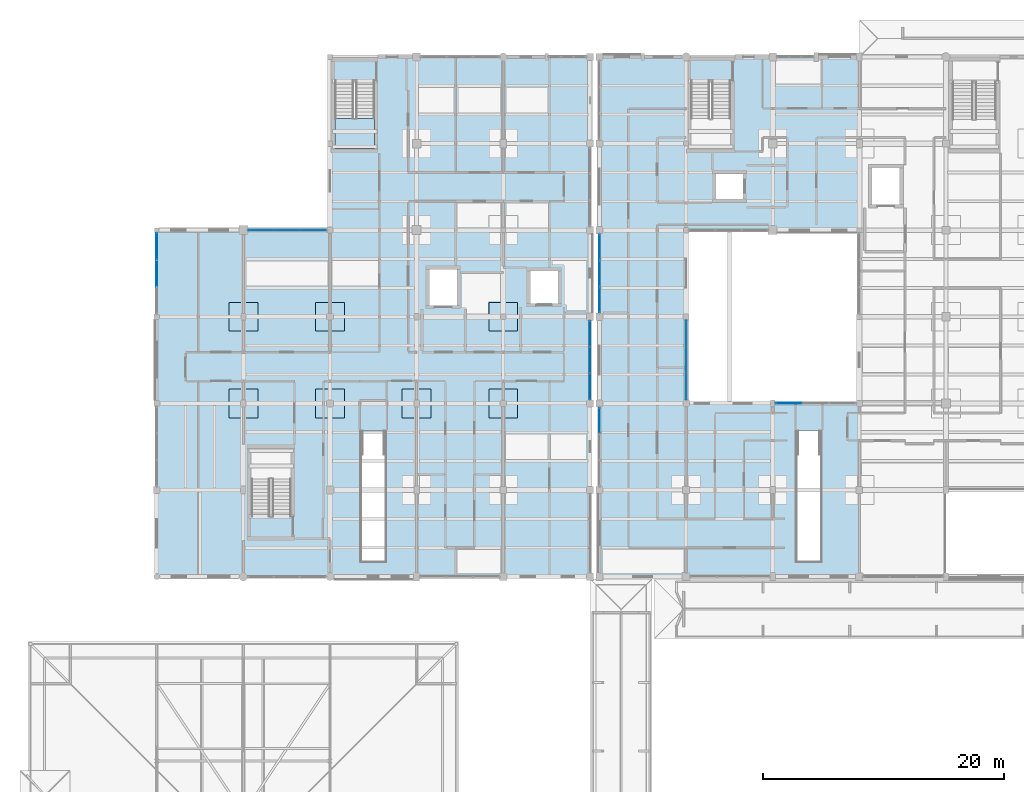
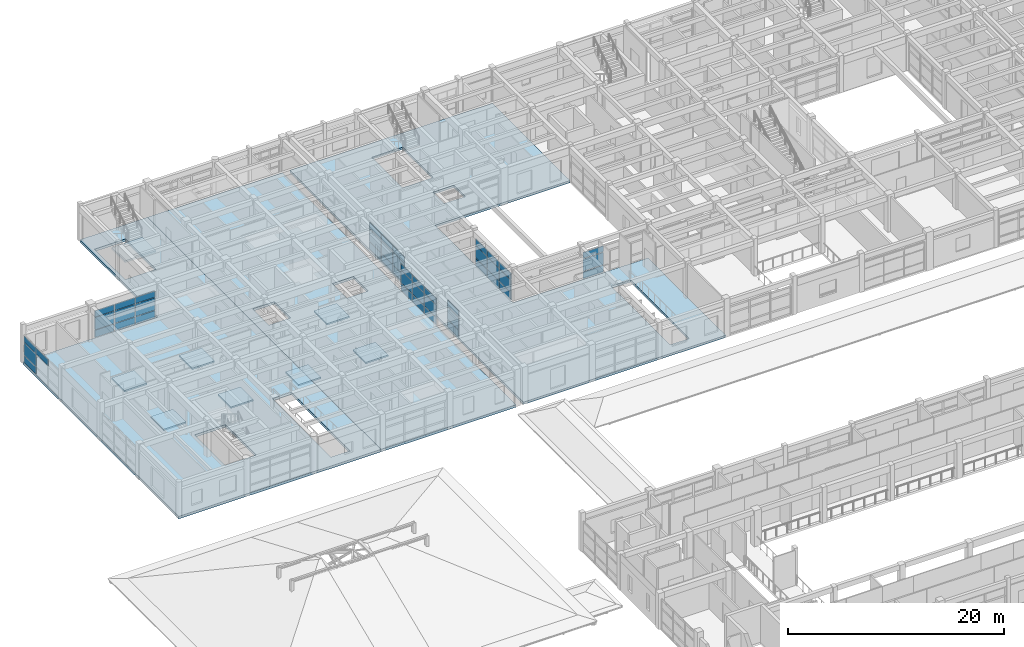
# One storey, part 64 of 110: 46 plates, 11 slabs, 8 elements without a shape of their own.
"""IFC4 building model written with IfcOpenShell, lengths in metres."""

import ifcopenshell
import ifcopenshell.guid

model = None  # the IFC model being written
_history = None  # IfcOwnerHistory: only IFC2X3 demands one
_inside = {}  # id of a spatial element -> (the spatial element, [elements in it])
_under = {}  # id of a project, library or spatial element -> (it, [spatial elements below it])
_declared = {}  # id of a project -> (the project, [libraries it declares])
_typed = {}  # id of a type object -> (the type object, [elements of that type])
_made_of = {}  # id of a material, layer set ... -> (it, [elements and type objects made of it])


def new_model(schema):
    """Start an empty IFC model of exactly this schema.

    Asked for "IFC4X3", IfcOpenShell would pick the latest addendum, in which some entities
    have other attributes; the version numbers below select the first issue.
    IFC2X3 requires an IfcOwnerHistory on every rooted entity: one is made here for all.
    """
    global model, _history
    if schema == "IFC4X3":
        model = ifcopenshell.file(schema_version=(4, 3, 0, 0))
    else:
        model = ifcopenshell.file(schema=schema)
    _inside.clear()
    _under.clear()
    _declared.clear()
    _typed.clear()
    _made_of.clear()
    _history = None
    if model.schema == "IFC2X3":
        org = make("IfcOrganization", Name="unknown")
        user = make(
            "IfcPersonAndOrganization",
            ThePerson=make("IfcPerson", FamilyName="unknown"),
            TheOrganization=org,
        )
        app = make(
            "IfcApplication",
            ApplicationDeveloper=org,
            Version="unknown",
            ApplicationFullName="unknown",
            ApplicationIdentifier="unknown",
        )
        _history = make(
            "IfcOwnerHistory",
            OwningUser=user,
            OwningApplication=app,
            ChangeAction="ADDED",
            CreationDate=0,
        )
    return model


def make(cls, **values):
    """One entity of the class cls with the attributes given. An attribute that is None is left unset."""
    return model.create_entity(
        cls, **{name: value for name, value in values.items() if value is not None}
    )


def rooted(cls, **values):
    """An entity with a GlobalId (a new one), such as an element, a storey or a relation."""
    return make(cls, GlobalId=ifcopenshell.guid.new(), OwnerHistory=_history, **values)


def si_unit(unit_type, name, prefix=None):
    """IfcSIUnit, for example si_unit("LENGTHUNIT", "METRE", prefix="MILLI")."""
    return make("IfcSIUnit", UnitType=unit_type, Prefix=prefix, Name=name)


def assignment(units):
    """IfcUnitAssignment: the units of a project."""
    return None if units is None else make("IfcUnitAssignment", Units=units)


def point(xyz):
    """IfcCartesianPoint."""
    return None if xyz is None else make("IfcCartesianPoint", Coordinates=xyz)


def direction(xyz):
    """IfcDirection."""
    return None if xyz is None else make("IfcDirection", DirectionRatios=xyz)


def frame(location, z_axis=None, x_axis=None):
    """IfcAxis2Placement3D, a coordinate frame: its origin and axes. An axis left out is left unset."""
    return make(
        "IfcAxis2Placement3D",
        Location=point(location),
        Axis=direction(z_axis),
        RefDirection=direction(x_axis),
    )


def frame_2d(location, x_axis=None):
    """IfcAxis2Placement2D, a coordinate frame in the plane: its origin and x axis."""
    return make(
        "IfcAxis2Placement2D", Location=point(location), RefDirection=direction(x_axis)
    )


def origin():
    """The frame at (0, 0, 0) with its axes left unset."""
    return frame((0.0, 0.0, 0.0))


def origin_2d():
    """The frame at (0, 0) in the plane with its x axis left unset."""
    return frame_2d((0.0, 0.0))


def place(relative_to, where):
    """IfcLocalPlacement: puts the frame where relative to a parent placement (None: the world)."""
    return make(
        "IfcLocalPlacement", PlacementRelTo=relative_to, RelativePlacement=where
    )


def context(
    kind, dimensions, precision=None, world=None, true_north=None, identifier=None
):
    """IfcGeometricRepresentationContext, for example the 3D "Model" context."""
    return make(
        "IfcGeometricRepresentationContext",
        ContextIdentifier=identifier,
        ContextType=kind,
        CoordinateSpaceDimension=dimensions,
        Precision=precision,
        WorldCoordinateSystem=world,
        TrueNorth=true_north,
    )


def subcontext(parent, identifier, kind, view, scale=None):
    """IfcGeometricRepresentationSubContext, for example "Body" below "Model"."""
    return make(
        "IfcGeometricRepresentationSubContext",
        ContextIdentifier=identifier,
        ContextType=kind,
        ParentContext=parent,
        TargetScale=scale,
        TargetView=view,
    )


def project(units=None, contexts=None):
    """IfcProject with its units and contexts."""
    return rooted(
        "IfcProject",
        Name="project",
        RepresentationContexts=contexts,
        UnitsInContext=assignment(units),
    )


def spatial(cls, under=None, at=None, **own):
    """A site, building, storey or space (cls), placed at a placement, below another one or the project."""
    s = rooted(cls, ObjectPlacement=at, **own)
    if under is not None:
        _under.setdefault(under.id(), (under, []))[1].append(s)
    return s


def polyline(points):
    """IfcPolyline through the points."""
    return make("IfcPolyline", Points=[point(p) for p in points])


def profile(cls, at=None, kind="AREA", **sizes):
    """A parametric profile (cls). Its sizes go by their IFC names, for example OverallWidth=200.0."""
    return make(cls, ProfileType=kind, Position=at, **sizes)


def rectangle(**sizes):
    """IfcRectangleProfileDef."""
    return profile("IfcRectangleProfileDef", **sizes)


def outline(outer, holes=None, kind="AREA"):
    """IfcArbitraryClosedProfileDef: a profile drawn as a closed curve; with holes, ...WithVoids."""
    if holes is None:
        return make("IfcArbitraryClosedProfileDef", ProfileType=kind, OuterCurve=outer)
    return make(
        "IfcArbitraryProfileDefWithVoids",
        ProfileType=kind,
        OuterCurve=outer,
        InnerCurves=holes,
    )


def extrude(swept, where, along, depth):
    """IfcExtrudedAreaSolid: the profile swept, set in the frame where, extruded along a direction by depth."""
    return make(
        "IfcExtrudedAreaSolid",
        SweptArea=swept,
        Position=where,
        ExtrudedDirection=direction(along),
        Depth=depth,
    )


def shape(context_of_items, identifier, shape_type, items):
    """IfcShapeRepresentation: the items that make up one representation, for example the "Body"."""
    return make(
        "IfcShapeRepresentation",
        ContextOfItems=context_of_items,
        RepresentationIdentifier=identifier,
        RepresentationType=shape_type,
        Items=items,
    )


def material(Name=None, Category=None):
    """IfcMaterial."""
    return make("IfcMaterial", Name=Name, Category=Category)


def layer(
    of_material, thickness, ventilated=None, Name=None, Category=None, Priority=None
):
    """IfcMaterialLayer: one layer of a wall or slab, of a material (None: an air gap)."""
    return make(
        "IfcMaterialLayer",
        Material=of_material,
        LayerThickness=thickness,
        IsVentilated=ventilated,
        Name=Name,
        Category=Category,
        Priority=Priority,
    )


def layer_set(layers, Name=None):
    """IfcMaterialLayerSet."""
    return make("IfcMaterialLayerSet", MaterialLayers=layers, LayerSetName=Name)


def made_of(thing, what):
    """Note that an element or type object is made of a material, layer set ...; save() writes the relation."""
    if what is not None:
        _made_of.setdefault(what.id(), (what, []))[1].append(thing)
    return thing


def type_object(cls, material=None, **own):
    """A type object (cls), such as IfcWallType, which elements share."""
    return made_of(rooted(cls, **own), material)


def element(
    cls,
    number,
    at=None,
    inside=None,
    cuts=None,
    type_object=None,
    material=None,
    context=None,
    identifier="Body",
    shape_type=None,
    held_by="IfcProductDefinitionShape",
    body=None,
    shapes=None,
    **own,
):
    """One element of the class cls, such as IfcWall. Its Tag is "e" and its number.

    at: its placement. inside: the storey or other place that contains it. cuts: it is an
    opening in that element (IfcRelVoidsElement). A single representation is given by context,
    identifier, shape_type and body (its items); several are given by shapes. held_by: the class
    of the entity that holds the representations. save() writes the other relations.
    """
    e = rooted(cls, Tag="e%d" % number, ObjectPlacement=at, **own)
    if body is not None:
        shapes = [shape(context, identifier, shape_type, body)]
    if shapes is not None:
        e.Representation = make(held_by, Representations=shapes)
    if inside is not None:
        _inside.setdefault(inside.id(), (inside, []))[1].append(e)
    if cuts is not None:
        rooted(
            "IfcRelVoidsElement", RelatingBuildingElement=cuts, RelatedOpeningElement=e
        )
    if type_object is not None:
        _typed.setdefault(type_object.id(), (type_object, []))[1].append(e)
    return made_of(e, material)


def aggregate(whole, parts):
    """IfcRelAggregates: a whole, such as a stair, and the parts it consists of."""
    return rooted("IfcRelAggregates", RelatingObject=whole, RelatedObjects=parts)


def save(model, path):
    """Write the relations noted so far, then the file.

    IfcRelAggregates (storeys below a building ...), IfcRelContainedInSpatialStructure (elements
    in a storey), IfcRelDefinesByType, IfcRelAssociatesMaterial and IfcRelDeclares: one each for
    every whole, place, type object, material and project.
    """
    for whole, parts in _under.values():
        aggregate(whole, parts)
    for where, things in _inside.values():
        rooted(
            "IfcRelContainedInSpatialStructure",
            RelatedElements=things,
            RelatingStructure=where,
        )
    for kind, things in _typed.values():
        rooted("IfcRelDefinesByType", RelatedObjects=things, RelatingType=kind)
    for what, things in _made_of.values():
        rooted("IfcRelAssociatesMaterial", RelatedObjects=things, RelatingMaterial=what)
    for by, libraries in _declared.values():
        rooted("IfcRelDeclares", RelatingContext=by, RelatedDefinitions=libraries)
    model.write(path)


model = new_model("IFC4")

# Units and contexts
model_context = context("Model", 3, precision=1e-05, world=origin(), true_north=direction((0.0, 1.0)))
body_context = subcontext(model_context, "Body", "Model", "MODEL_VIEW")
ifc_project = project(units=[si_unit("LENGTHUNIT", "METRE"), si_unit("AREAUNIT", "SQUARE_METRE"), si_unit("VOLUMEUNIT", "CUBIC_METRE"), si_unit("PLANEANGLEUNIT", "RADIAN"), si_unit("MASSUNIT", "GRAM", prefix="KILO")], contexts=[model_context])

# Site, building, storey
site_placement = place(None, origin())
site = spatial("IfcSite", under=ifc_project, at=site_placement, CompositionType="ELEMENT")
building_placement = place(site_placement, origin())
building = spatial("IfcBuilding", under=site, at=building_placement, Name="Steenspoor Specialist Clinic", CompositionType="ELEMENT")
storey_placement = place(building_placement, frame((0.0, 0.0, 4.800048828125)))
storey = spatial("IfcBuildingStorey", under=building, at=storey_placement, Name="L01", CompositionType="ELEMENT", Elevation=4.800048828125)

# Curtain wall, plates
ifc_material_1 = material(Name="Thermally broken aluminium and low-emissivity glass", Category="aluminium")
curtain_wall_type_1 = type_object("IfcCurtainWallType", Name="CW-SCR-480X320", PredefinedType="USERDEFINED", material=ifc_material_1)
curtain_wall_1_placement = place(storey_placement, origin())
curtain_wall_1 = element("IfcCurtainWall", 1, at=curtain_wall_1_placement, inside=storey, type_object=curtain_wall_type_1, Name="Unitised Curtain Wall CW-V4-L01-066", ObjectType="UNITISED GLAZING", PredefinedType="USERDEFINED")
ifc_material_2 = material(Name="Double low-emissivity insulated glass", Category="glass")
ifc_layer_1 = layer(ifc_material_2, 0.035888671875)
ifc_layer_set_1 = layer_set([ifc_layer_1], Name="Double low-emissivity insulated glass")
plate_type_1 = type_object("IfcPlateType", Name="CW-PAN-GL36", PredefinedType="CURTAIN_PANEL", material=ifc_layer_set_1)
plate_1_placement = place(storey_placement, frame((52.39990234375, 88.169921875, 0.070068359375), z_axis=(0.0, 0.0, 1.0), x_axis=(0.0, 1.0, 0.0)))
plate_1 = element("IfcPlate", 2, at=plate_1_placement, type_object=plate_type_1, Name="CW-18 panel 1.1", PredefinedType="CURTAIN_PANEL", context=body_context, shape_type="SweptSolid", body=[
    extrude(rectangle(XDim=2.080078125, YDim=0.035888671875, at=origin_2d()), origin(), (0.0, 0.0, 1.0), 0.794921875),
])
plate_2_placement = place(storey_placement, frame((52.39990234375, 88.169921875, 0.93505859375), z_axis=(0.0, 0.0, 1.0), x_axis=(0.0, 1.0, 0.0)))
plate_2 = element("IfcPlate", 3, at=plate_2_placement, type_object=plate_type_1, Name="CW-18 panel 1.2", PredefinedType="CURTAIN_PANEL", context=body_context, shape_type="SweptSolid", body=[
    extrude(rectangle(XDim=2.080078125, YDim=0.035888671875, at=origin_2d()), origin(), (0.0, 0.0, 1.0), 1.3798828125),
])
plate_3_placement = place(storey_placement, frame((52.39990234375, 88.169921875, 2.384765625), z_axis=(0.0, 0.0, 1.0), x_axis=(0.0, 1.0, 0.0)))
plate_3 = element("IfcPlate", 4, at=plate_3_placement, type_object=plate_type_1, Name="CW-18 panel 1.3", PredefinedType="CURTAIN_PANEL", context=body_context, shape_type="SweptSolid", body=[
    extrude(rectangle(XDim=2.080078125, YDim=0.035888671875, at=origin_2d()), origin(), (0.0, 0.0, 1.0), 0.675048828125),
])
plate_4_placement = place(storey_placement, frame((52.39990234375, 90.35009765625, 0.070068359375), z_axis=(0.0, 0.0, 1.0), x_axis=(0.0, 1.0, 0.0)))
plate_4 = element("IfcPlate", 5, at=plate_4_placement, type_object=plate_type_1, Name="CW-18 panel 2.1", PredefinedType="CURTAIN_PANEL", context=body_context, shape_type="SweptSolid", body=[
    extrude(rectangle(XDim=2.1201171875, YDim=0.035888671875, at=origin_2d()), origin(), (0.0, 0.0, 1.0), 0.794921875),
])
plate_5_placement = place(storey_placement, frame((52.39990234375, 90.35009765625, 0.93505859375), z_axis=(0.0, 0.0, 1.0), x_axis=(0.0, 1.0, 0.0)))
plate_5 = element("IfcPlate", 6, at=plate_5_placement, type_object=plate_type_1, Name="CW-18 panel 2.2", PredefinedType="CURTAIN_PANEL", context=body_context, shape_type="SweptSolid", body=[
    extrude(rectangle(XDim=2.1201171875, YDim=0.035888671875, at=origin_2d()), origin(), (0.0, 0.0, 1.0), 1.3798828125),
])
plate_6_placement = place(storey_placement, frame((52.39990234375, 90.35009765625, 2.384765625), z_axis=(0.0, 0.0, 1.0), x_axis=(0.0, 1.0, 0.0)))
plate_6 = element("IfcPlate", 7, at=plate_6_placement, type_object=plate_type_1, Name="CW-18 panel 2.3", PredefinedType="CURTAIN_PANEL", context=body_context, shape_type="SweptSolid", body=[
    extrude(rectangle(XDim=2.1201171875, YDim=0.035888671875, at=origin_2d()), origin(), (0.0, 0.0, 1.0), 0.675048828125),
])
plate_7_placement = place(storey_placement, frame((52.39990234375, 92.530029296875, 0.070068359375), z_axis=(0.0, 0.0, 1.0), x_axis=(0.0, 1.0, 0.0)))
plate_7 = element("IfcPlate", 8, at=plate_7_placement, type_object=plate_type_1, Name="CW-18 panel 3.1", PredefinedType="CURTAIN_PANEL", context=body_context, shape_type="SweptSolid", body=[
    extrude(rectangle(XDim=2.080078125, YDim=0.035888671875, at=origin_2d()), origin(), (0.0, 0.0, 1.0), 0.794921875),
])
plate_8_placement = place(storey_placement, frame((52.39990234375, 92.530029296875, 0.93505859375), z_axis=(0.0, 0.0, 1.0), x_axis=(0.0, 1.0, 0.0)))
plate_8 = element("IfcPlate", 9, at=plate_8_placement, type_object=plate_type_1, Name="CW-18 panel 3.2", PredefinedType="CURTAIN_PANEL", context=body_context, shape_type="SweptSolid", body=[
    extrude(rectangle(XDim=2.080078125, YDim=0.035888671875, at=origin_2d()), origin(), (0.0, 0.0, 1.0), 1.3798828125),
])
plate_9_placement = place(storey_placement, frame((52.39990234375, 92.530029296875, 2.384765625), z_axis=(0.0, 0.0, 1.0), x_axis=(0.0, 1.0, 0.0)))
plate_9 = element("IfcPlate", 10, at=plate_9_placement, type_object=plate_type_1, Name="CW-18 panel 3.3", PredefinedType="CURTAIN_PANEL", context=body_context, shape_type="SweptSolid", body=[
    extrude(rectangle(XDim=2.080078125, YDim=0.035888671875, at=origin_2d()), origin(), (0.0, 0.0, 1.0), 0.675048828125),
])
aggregate(curtain_wall_1, [plate_1, plate_2, plate_3, plate_4, plate_5, plate_6, plate_7, plate_8, plate_9])

curtain_wall_type_2 = type_object("IfcCurtainWallType", Name="CW-HALL-480X820", PredefinedType="USERDEFINED", material=ifc_material_1)
curtain_wall_2_placement = place(storey_placement, origin())
curtain_wall_2 = element("IfcCurtainWall", 11, at=curtain_wall_2_placement, inside=storey, type_object=curtain_wall_type_2, Name="Unitised Curtain Wall CW-V5-L01-147", ObjectType="UNITISED GLAZING", PredefinedType="USERDEFINED")
plate_10_placement = place(storey_placement, frame((51.60009765625, 85.333740234375, 0.06494140625), z_axis=(0.0, 0.0, 1.0), x_axis=(0.0, -1.0, 0.0)))
plate_10 = element("IfcPlate", 12, at=plate_10_placement, type_object=plate_type_1, Name="CW-03 panel 1.1", PredefinedType="CURTAIN_PANEL", context=body_context, shape_type="SweptSolid", body=[
    extrude(rectangle(XDim=2.1025390625, YDim=0.035888671875, at=origin_2d()), origin(), (0.0, 0.0, 1.0), 0.802490234375),
])
plate_11_placement = place(storey_placement, frame((51.60009765625, 85.333740234375, 0.9326171875), z_axis=(0.0, 0.0, 1.0), x_axis=(0.0, -1.0, 0.0)))
plate_11 = element("IfcPlate", 13, at=plate_11_placement, type_object=plate_type_1, Name="CW-03 panel 1.2", PredefinedType="CURTAIN_PANEL", context=body_context, shape_type="SweptSolid", body=[
    extrude(rectangle(XDim=2.1025390625, YDim=0.035888671875, at=origin_2d()), origin(), (0.0, 0.0, 1.0), 1.385009765625),
])
plate_12_placement = place(storey_placement, frame((51.60009765625, 85.333740234375, 2.38232421875), z_axis=(0.0, 0.0, 1.0), x_axis=(0.0, -1.0, 0.0)))
plate_12 = element("IfcPlate", 14, at=plate_12_placement, type_object=plate_type_1, Name="CW-03 panel 1.3", PredefinedType="CURTAIN_PANEL", context=body_context, shape_type="SweptSolid", body=[
    extrude(rectangle(XDim=2.1025390625, YDim=0.035888671875, at=origin_2d()), origin(), (0.0, 0.0, 1.0), 0.6826171875),
])
plate_13_placement = place(storey_placement, frame((51.60009765625, 83.14990234375, 0.06494140625), z_axis=(0.0, 0.0, 1.0), x_axis=(0.0, -1.0, 0.0)))
plate_13 = element("IfcPlate", 15, at=plate_13_placement, type_object=plate_type_1, Name="CW-03 panel 2.1", PredefinedType="CURTAIN_PANEL", context=body_context, shape_type="SweptSolid", body=[
    extrude(rectangle(XDim=2.135009765625, YDim=0.035888671875, at=origin_2d()), origin(), (0.0, 0.0, 1.0), 0.802490234375),
])
plate_14_placement = place(storey_placement, frame((51.60009765625, 83.14990234375, 0.9326171875), z_axis=(0.0, 0.0, 1.0), x_axis=(0.0, -1.0, 0.0)))
plate_14 = element("IfcPlate", 16, at=plate_14_placement, type_object=plate_type_1, Name="CW-03 panel 2.2", PredefinedType="CURTAIN_PANEL", context=body_context, shape_type="SweptSolid", body=[
    extrude(rectangle(XDim=2.135009765625, YDim=0.035888671875, at=origin_2d()), origin(), (0.0, 0.0, 1.0), 1.385009765625),
])
plate_15_placement = place(storey_placement, frame((51.60009765625, 83.14990234375, 2.38232421875), z_axis=(0.0, 0.0, 1.0), x_axis=(0.0, -1.0, 0.0)))
plate_15 = element("IfcPlate", 17, at=plate_15_placement, type_object=plate_type_1, Name="CW-03 panel 2.3", PredefinedType="CURTAIN_PANEL", context=body_context, shape_type="SweptSolid", body=[
    extrude(rectangle(XDim=2.135009765625, YDim=0.035888671875, at=origin_2d()), origin(), (0.0, 0.0, 1.0), 0.6826171875),
])
plate_16_placement = place(storey_placement, frame((51.60009765625, 80.96630859375, 0.06494140625), z_axis=(0.0, 0.0, 1.0), x_axis=(0.0, -1.0, 0.0)))
plate_16 = element("IfcPlate", 18, at=plate_16_placement, type_object=plate_type_1, Name="CW-03 panel 3.1", PredefinedType="CURTAIN_PANEL", context=body_context, shape_type="SweptSolid", body=[
    extrude(rectangle(XDim=2.1025390625, YDim=0.035888671875, at=origin_2d()), origin(), (0.0, 0.0, 1.0), 0.802490234375),
])
plate_17_placement = place(storey_placement, frame((51.60009765625, 80.96630859375, 0.9326171875), z_axis=(0.0, 0.0, 1.0), x_axis=(0.0, -1.0, 0.0)))
plate_17 = element("IfcPlate", 19, at=plate_17_placement, type_object=plate_type_1, Name="CW-03 panel 3.2", PredefinedType="CURTAIN_PANEL", context=body_context, shape_type="SweptSolid", body=[
    extrude(rectangle(XDim=2.1025390625, YDim=0.035888671875, at=origin_2d()), origin(), (0.0, 0.0, 1.0), 1.385009765625),
])
plate_18_placement = place(storey_placement, frame((51.60009765625, 80.96630859375, 2.38232421875), z_axis=(0.0, 0.0, 1.0), x_axis=(0.0, -1.0, 0.0)))
plate_18 = element("IfcPlate", 20, at=plate_18_placement, type_object=plate_type_1, Name="CW-03 panel 3.3", PredefinedType="CURTAIN_PANEL", context=body_context, shape_type="SweptSolid", body=[
    extrude(rectangle(XDim=2.1025390625, YDim=0.035888671875, at=origin_2d()), origin(), (0.0, 0.0, 1.0), 0.6826171875),
])
aggregate(curtain_wall_2, [plate_10, plate_11, plate_12, plate_13, plate_14, plate_15, plate_16, plate_17, plate_18])

curtain_wall_type_3 = type_object("IfcCurtainWallType", Name="CW-WLK-360X340", PredefinedType="USERDEFINED", material=ifc_material_1)
curtain_wall_3_placement = place(storey_placement, origin())
curtain_wall_3 = element("IfcCurtainWall", 21, at=curtain_wall_3_placement, inside=storey, type_object=curtain_wall_type_3, Name="Unitised Curtain Wall CW-V5-L01-142", ObjectType="UNITISED GLAZING", PredefinedType="USERDEFINED")
ifc_material_3 = material(Name="Triple acoustic laminated low-emissivity glass", Category="glass")
ifc_layer_2 = layer(ifc_material_3, 0.048095703125)
ifc_layer_set_2 = layer_set([ifc_layer_2], Name="Triple acoustic laminated low-emissivity glass")
plate_type_2 = type_object("IfcPlateType", Name="CW-PAN-GL48", PredefinedType="CURTAIN_PANEL", material=ifc_layer_set_2)
plate_19_placement = place(storey_placement, frame((15.60009765625, 90.362548828125, 2.38232421875), z_axis=(0.0, 0.0, 1.0), x_axis=(0.0, 1.0, 0.0)))
plate_19 = element("IfcPlate", 22, at=plate_19_placement, type_object=plate_type_2, Name="CW-22 panel 2.3", PredefinedType="CURTAIN_PANEL", context=body_context, shape_type="SweptSolid", body=[
    extrude(rectangle(XDim=2.1982421875, YDim=0.048095703125, at=origin_2d()), origin(), (0.0, 0.0, 1.0), 0.6826171875),
])
plate_20_placement = place(storey_placement, frame((15.60009765625, 92.605712890625, 0.06494140625), z_axis=(0.0, 0.0, 1.0), x_axis=(0.0, 1.0, 0.0)))
plate_20 = element("IfcPlate", 23, at=plate_20_placement, type_object=plate_type_2, Name="CW-22 panel 3.1", PredefinedType="CURTAIN_PANEL", context=body_context, shape_type="SweptSolid", body=[
    extrude(rectangle(XDim=2.168212890625, YDim=0.048095703125, at=origin_2d()), origin(), (0.0, 0.0, 1.0), 0.802490234375),
])
plate_21_placement = place(storey_placement, frame((15.60009765625, 92.605712890625, 0.9326171875), z_axis=(0.0, 0.0, 1.0), x_axis=(0.0, 1.0, 0.0)))
plate_21 = element("IfcPlate", 24, at=plate_21_placement, type_object=plate_type_2, Name="CW-22 panel 3.2", PredefinedType="CURTAIN_PANEL", context=body_context, shape_type="SweptSolid", body=[
    extrude(rectangle(XDim=2.168212890625, YDim=0.048095703125, at=origin_2d()), origin(), (0.0, 0.0, 1.0), 1.385009765625),
])
plate_22_placement = place(storey_placement, frame((15.60009765625, 92.605712890625, 2.38232421875), z_axis=(0.0, 0.0, 1.0), x_axis=(0.0, 1.0, 0.0)))
plate_22 = element("IfcPlate", 25, at=plate_22_placement, type_object=plate_type_2, Name="CW-22 panel 3.3", PredefinedType="CURTAIN_PANEL", context=body_context, shape_type="SweptSolid", body=[
    extrude(rectangle(XDim=2.168212890625, YDim=0.048095703125, at=origin_2d()), origin(), (0.0, 0.0, 1.0), 0.6826171875),
])
aggregate(curtain_wall_3, [plate_19, plate_20, plate_21, plate_22])

curtain_wall_type_4 = type_object("IfcCurtainWallType", Name="CW-SCR-660X320", PredefinedType="USERDEFINED", material=ifc_material_1)
curtain_wall_4_placement = place(storey_placement, origin())
curtain_wall_4 = element("IfcCurtainWall", 26, at=curtain_wall_4_placement, inside=storey, type_object=curtain_wall_type_4, Name="Unitised Curtain Wall CW-V4-L01-065", ObjectType="UNITISED GLAZING", PredefinedType="USERDEFINED")
ifc_material_4 = material(Name="Insulated glazed ceramic spandrel panel", Category="glass")
ifc_layer_3 = layer(ifc_material_4, 0.074951171875)
ifc_layer_set_3 = layer_set([ifc_layer_3], Name="Insulated glazed ceramic spandrel panel")
plate_type_3 = type_object("IfcPlateType", Name="CW-PAN-SP75", PredefinedType="CURTAIN_PANEL", material=ifc_layer_set_3)
plate_23_placement = place(storey_placement, frame((52.39990234375, 78.12744140625, 0.080078125), z_axis=(0.0, 0.0, 1.0), x_axis=(0.0, 1.0, 0.0)))
plate_23 = element("IfcPlate", 27, at=plate_23_placement, type_object=plate_type_3, Name="CW-17 panel 3.1", PredefinedType="CURTAIN_PANEL", context=body_context, shape_type="SweptSolid", body=[
    extrude(rectangle(XDim=2.06494140625, YDim=0.074951171875, at=origin_2d()), origin(), (0.0, 0.0, 1.0), 0.780029296875),
])
plate_24_placement = place(storey_placement, frame((52.39990234375, 78.12744140625, 0.93994140625), z_axis=(0.0, 0.0, 1.0), x_axis=(0.0, 1.0, 0.0)))
plate_24 = element("IfcPlate", 28, at=plate_24_placement, type_object=plate_type_3, Name="CW-17 panel 3.2", PredefinedType="CURTAIN_PANEL", context=body_context, shape_type="SweptSolid", body=[
    extrude(rectangle(XDim=2.06494140625, YDim=0.074951171875, at=origin_2d()), origin(), (0.0, 0.0, 1.0), 1.3701171875),
])
plate_25_placement = place(storey_placement, frame((52.39990234375, 78.12744140625, 2.39013671875), z_axis=(0.0, 0.0, 1.0), x_axis=(0.0, 1.0, 0.0)))
plate_25 = element("IfcPlate", 29, at=plate_25_placement, type_object=plate_type_3, Name="CW-17 panel 3.3", PredefinedType="CURTAIN_PANEL", context=body_context, shape_type="SweptSolid", body=[
    extrude(rectangle(XDim=2.06494140625, YDim=0.074951171875, at=origin_2d()), origin(), (0.0, 0.0, 1.0), 0.659912109375),
])
aggregate(curtain_wall_4, [plate_23, plate_24, plate_25])

curtain_wall_type_5 = type_object("IfcCurtainWallType", Name="CW-HALL-650X820", PredefinedType="USERDEFINED", material=ifc_material_1)
curtain_wall_5_placement = place(storey_placement, origin())
curtain_wall_5 = element("IfcCurtainWall", 30, at=curtain_wall_5_placement, inside=storey, type_object=curtain_wall_type_5, Name="Unitised Curtain Wall CW-V4-L01-074", ObjectType="UNITISED GLAZING", PredefinedType="USERDEFINED")
plate_26_placement = place(storey_placement, frame((68.142578125, 79.550048828125, 0.08984375), z_axis=(0.0, 0.0, 1.0), x_axis=(1.0, 0.0, 0.0)))
plate_26 = element("IfcPlate", 31, at=plate_26_placement, type_object=plate_type_3, Name="CW-02 panel 1.1", PredefinedType="CURTAIN_PANEL", context=body_context, shape_type="SweptSolid", body=[
    extrude(rectangle(XDim=2.14501953125, YDim=0.074951171875, at=origin_2d()), origin(), (0.0, 0.0, 1.0), 0.764892578125),
])
plate_27_placement = place(storey_placement, frame((68.142578125, 79.550048828125, 0.94482421875), z_axis=(0.0, 0.0, 1.0), x_axis=(1.0, 0.0, 0.0)))
plate_27 = element("IfcPlate", 32, at=plate_27_placement, type_object=plate_type_3, Name="CW-02 panel 1.2", PredefinedType="CURTAIN_PANEL", context=body_context, shape_type="SweptSolid", body=[
    extrude(rectangle(XDim=2.14501953125, YDim=0.074951171875, at=origin_2d()), origin(), (0.0, 0.0, 1.0), 1.360107421875),
])
plate_28_placement = place(storey_placement, frame((68.142578125, 79.550048828125, 2.39501953125), z_axis=(0.0, 0.0, 1.0), x_axis=(1.0, 0.0, 0.0)))
plate_28 = element("IfcPlate", 33, at=plate_28_placement, type_object=plate_type_3, Name="CW-02 panel 1.3", PredefinedType="CURTAIN_PANEL", context=body_context, shape_type="SweptSolid", body=[
    extrude(rectangle(XDim=2.14501953125, YDim=0.074951171875, at=origin_2d()), origin(), (0.0, 0.0, 1.0), 0.64501953125),
])
aggregate(curtain_wall_5, [plate_26, plate_27, plate_28])

curtain_wall_type_6 = type_object("IfcCurtainWallType", Name="CW-L00-650X415", PredefinedType="USERDEFINED", material=ifc_material_1)
curtain_wall_6_placement = place(storey_placement, origin())
curtain_wall_6 = element("IfcCurtainWall", 34, at=curtain_wall_6_placement, inside=storey, type_object=curtain_wall_type_6, Name="Unitised Curtain Wall CW-V4-L01-077", ObjectType="UNITISED GLAZING", PredefinedType="USERDEFINED")
plate_29_placement = place(storey_placement, frame((59.60009765625, 85.364990234375, 0.06494140625), z_axis=(0.0, 0.0, 1.0), x_axis=(0.0, -1.0, 0.0)))
plate_29 = element("IfcPlate", 35, at=plate_29_placement, type_object=plate_type_3, Name="CW-05 panel 1.1", PredefinedType="CURTAIN_PANEL", context=body_context, shape_type="SweptSolid", body=[
    extrude(rectangle(XDim=2.090087890625, YDim=0.074951171875, at=origin_2d()), origin(), (0.0, 0.0, 1.0), 0.802490234375),
])
plate_30_placement = place(storey_placement, frame((59.60009765625, 85.364990234375, 0.9326171875), z_axis=(0.0, 0.0, 1.0), x_axis=(0.0, -1.0, 0.0)))
plate_30 = element("IfcPlate", 36, at=plate_30_placement, type_object=plate_type_3, Name="CW-05 panel 1.2", PredefinedType="CURTAIN_PANEL", context=body_context, shape_type="SweptSolid", body=[
    extrude(rectangle(XDim=2.090087890625, YDim=0.074951171875, at=origin_2d()), origin(), (0.0, 0.0, 1.0), 1.385009765625),
])
plate_31_placement = place(storey_placement, frame((59.60009765625, 85.364990234375, 2.38232421875), z_axis=(0.0, 0.0, 1.0), x_axis=(0.0, -1.0, 0.0)))
plate_31 = element("IfcPlate", 37, at=plate_31_placement, type_object=plate_type_3, Name="CW-05 panel 1.3", PredefinedType="CURTAIN_PANEL", context=body_context, shape_type="SweptSolid", body=[
    extrude(rectangle(XDim=2.090087890625, YDim=0.074951171875, at=origin_2d()), origin(), (0.0, 0.0, 1.0), 0.6826171875),
])
plate_32_placement = place(storey_placement, frame((59.60009765625, 83.16259765625, 0.06494140625), z_axis=(0.0, 0.0, 1.0), x_axis=(0.0, -1.0, 0.0)))
plate_32 = element("IfcPlate", 38, at=plate_32_placement, type_object=plate_type_3, Name="CW-05 panel 2.1", PredefinedType="CURTAIN_PANEL", context=body_context, shape_type="SweptSolid", body=[
    extrude(rectangle(XDim=2.135009765625, YDim=0.074951171875, at=origin_2d()), origin(), (0.0, 0.0, 1.0), 0.802490234375),
])
plate_33_placement = place(storey_placement, frame((59.60009765625, 83.16259765625, 0.9326171875), z_axis=(0.0, 0.0, 1.0), x_axis=(0.0, -1.0, 0.0)))
plate_33 = element("IfcPlate", 39, at=plate_33_placement, type_object=plate_type_3, Name="CW-05 panel 2.2", PredefinedType="CURTAIN_PANEL", context=body_context, shape_type="SweptSolid", body=[
    extrude(rectangle(XDim=2.135009765625, YDim=0.074951171875, at=origin_2d()), origin(), (0.0, 0.0, 1.0), 1.385009765625),
])
plate_34_placement = place(storey_placement, frame((59.60009765625, 83.16259765625, 2.38232421875), z_axis=(0.0, 0.0, 1.0), x_axis=(0.0, -1.0, 0.0)))
plate_34 = element("IfcPlate", 40, at=plate_34_placement, type_object=plate_type_3, Name="CW-05 panel 2.3", PredefinedType="CURTAIN_PANEL", context=body_context, shape_type="SweptSolid", body=[
    extrude(rectangle(XDim=2.135009765625, YDim=0.074951171875, at=origin_2d()), origin(), (0.0, 0.0, 1.0), 0.6826171875),
])
plate_35_placement = place(storey_placement, frame((59.60009765625, 80.9599609375, 0.06494140625), z_axis=(0.0, 0.0, 1.0), x_axis=(0.0, -1.0, 0.0)))
plate_35 = element("IfcPlate", 41, at=plate_35_placement, type_object=plate_type_3, Name="CW-05 panel 3.1", PredefinedType="CURTAIN_PANEL", context=body_context, shape_type="SweptSolid", body=[
    extrude(rectangle(XDim=2.090087890625, YDim=0.074951171875, at=origin_2d()), origin(), (0.0, 0.0, 1.0), 0.802490234375),
])
plate_36_placement = place(storey_placement, frame((59.60009765625, 80.9599609375, 0.9326171875), z_axis=(0.0, 0.0, 1.0), x_axis=(0.0, -1.0, 0.0)))
plate_36 = element("IfcPlate", 42, at=plate_36_placement, type_object=plate_type_3, Name="CW-05 panel 3.2", PredefinedType="CURTAIN_PANEL", context=body_context, shape_type="SweptSolid", body=[
    extrude(rectangle(XDim=2.090087890625, YDim=0.074951171875, at=origin_2d()), origin(), (0.0, 0.0, 1.0), 1.385009765625),
])
plate_37_placement = place(storey_placement, frame((59.60009765625, 80.9599609375, 2.38232421875), z_axis=(0.0, 0.0, 1.0), x_axis=(0.0, -1.0, 0.0)))
plate_37 = element("IfcPlate", 43, at=plate_37_placement, type_object=plate_type_3, Name="CW-05 panel 3.3", PredefinedType="CURTAIN_PANEL", context=body_context, shape_type="SweptSolid", body=[
    extrude(rectangle(XDim=2.090087890625, YDim=0.074951171875, at=origin_2d()), origin(), (0.0, 0.0, 1.0), 0.6826171875),
])
aggregate(curtain_wall_6, [plate_29, plate_30, plate_31, plate_32, plate_33, plate_34, plate_35, plate_36, plate_37])

curtain_wall_type_7 = type_object("IfcCurtainWallType", Name="CW-STR-220X355", PredefinedType="USERDEFINED", material=ifc_material_1)
curtain_wall_7_placement = place(storey_placement, origin())
curtain_wall_7 = element("IfcCurtainWall", 44, at=curtain_wall_7_placement, inside=storey, type_object=curtain_wall_type_7, Name="Unitised Curtain Wall CW-V5-L01-143", ObjectType="UNITISED GLAZING", PredefinedType="USERDEFINED")
plate_38_placement = place(storey_placement, frame((24.293212890625, 93.949951171875, 0.059814453125), z_axis=(0.0, 0.0, 1.0), x_axis=(1.0, 0.0, 0.0)))
plate_38 = element("IfcPlate", 45, at=plate_38_placement, type_object=plate_type_3, Name="CW-23 panel 1.1", PredefinedType="CURTAIN_PANEL", context=body_context, shape_type="SweptSolid", body=[
    extrude(rectangle(XDim=2.056640625, YDim=0.074951171875, at=origin_2d()), origin(), (0.0, 0.0, 1.0), 0.81005859375),
])
plate_39_placement = place(storey_placement, frame((24.293212890625, 93.949951171875, 0.93017578125), z_axis=(0.0, 0.0, 1.0), x_axis=(1.0, 0.0, 0.0)))
plate_39 = element("IfcPlate", 46, at=plate_39_placement, type_object=plate_type_3, Name="CW-23 panel 1.2", PredefinedType="CURTAIN_PANEL", context=body_context, shape_type="SweptSolid", body=[
    extrude(rectangle(XDim=2.056640625, YDim=0.074951171875, at=origin_2d()), origin(), (0.0, 0.0, 1.0), 1.389892578125),
])
plate_40_placement = place(storey_placement, frame((24.293212890625, 93.949951171875, 2.3798828125), z_axis=(0.0, 0.0, 1.0), x_axis=(1.0, 0.0, 0.0)))
plate_40 = element("IfcPlate", 47, at=plate_40_placement, type_object=plate_type_3, Name="CW-23 panel 1.3", PredefinedType="CURTAIN_PANEL", context=body_context, shape_type="SweptSolid", body=[
    extrude(rectangle(XDim=2.056640625, YDim=0.074951171875, at=origin_2d()), origin(), (0.0, 0.0, 1.0), 0.68994140625),
])
plate_41_placement = place(storey_placement, frame((26.46240234375, 93.949951171875, 0.059814453125), z_axis=(0.0, 0.0, 1.0), x_axis=(1.0, 0.0, 0.0)))
plate_41 = element("IfcPlate", 48, at=plate_41_placement, type_object=plate_type_3, Name="CW-23 panel 2.1", PredefinedType="CURTAIN_PANEL", context=body_context, shape_type="SweptSolid", body=[
    extrude(rectangle(XDim=2.1015625, YDim=0.074951171875, at=origin_2d()), origin(), (0.0, 0.0, 1.0), 0.81005859375),
])
plate_42_placement = place(storey_placement, frame((26.46240234375, 93.949951171875, 0.93017578125), z_axis=(0.0, 0.0, 1.0), x_axis=(1.0, 0.0, 0.0)))
plate_42 = element("IfcPlate", 49, at=plate_42_placement, type_object=plate_type_3, Name="CW-23 panel 2.2", PredefinedType="CURTAIN_PANEL", context=body_context, shape_type="SweptSolid", body=[
    extrude(rectangle(XDim=2.1015625, YDim=0.074951171875, at=origin_2d()), origin(), (0.0, 0.0, 1.0), 1.389892578125),
])
plate_43_placement = place(storey_placement, frame((26.46240234375, 93.949951171875, 2.3798828125), z_axis=(0.0, 0.0, 1.0), x_axis=(1.0, 0.0, 0.0)))
plate_43 = element("IfcPlate", 50, at=plate_43_placement, type_object=plate_type_3, Name="CW-23 panel 2.3", PredefinedType="CURTAIN_PANEL", context=body_context, shape_type="SweptSolid", body=[
    extrude(rectangle(XDim=2.1015625, YDim=0.074951171875, at=origin_2d()), origin(), (0.0, 0.0, 1.0), 0.68994140625),
])
plate_44_placement = place(storey_placement, frame((28.631591796875, 93.949951171875, 0.059814453125), z_axis=(0.0, 0.0, 1.0), x_axis=(1.0, 0.0, 0.0)))
plate_44 = element("IfcPlate", 51, at=plate_44_placement, type_object=plate_type_3, Name="CW-23 panel 3.1", PredefinedType="CURTAIN_PANEL", context=body_context, shape_type="SweptSolid", body=[
    extrude(rectangle(XDim=2.056640625, YDim=0.074951171875, at=origin_2d()), origin(), (0.0, 0.0, 1.0), 0.81005859375),
])
plate_45_placement = place(storey_placement, frame((28.631591796875, 93.949951171875, 0.93017578125), z_axis=(0.0, 0.0, 1.0), x_axis=(1.0, 0.0, 0.0)))
plate_45 = element("IfcPlate", 52, at=plate_45_placement, type_object=plate_type_3, Name="CW-23 panel 3.2", PredefinedType="CURTAIN_PANEL", context=body_context, shape_type="SweptSolid", body=[
    extrude(rectangle(XDim=2.056640625, YDim=0.074951171875, at=origin_2d()), origin(), (0.0, 0.0, 1.0), 1.389892578125),
])
plate_46_placement = place(storey_placement, frame((28.631591796875, 93.949951171875, 2.3798828125), z_axis=(0.0, 0.0, 1.0), x_axis=(1.0, 0.0, 0.0)))
plate_46 = element("IfcPlate", 53, at=plate_46_placement, type_object=plate_type_3, Name="CW-23 panel 3.3", PredefinedType="CURTAIN_PANEL", context=body_context, shape_type="SweptSolid", body=[
    extrude(rectangle(XDim=2.056640625, YDim=0.074951171875, at=origin_2d()), origin(), (0.0, 0.0, 1.0), 0.68994140625),
])
aggregate(curtain_wall_7, [plate_38, plate_39, plate_40, plate_41, plate_42, plate_43, plate_44, plate_45, plate_46])

# Slabs
ifc_material_5 = material(Name="Concrete C35/45", Category="concrete")
ifc_layer_4 = layer(ifc_material_5, 0.169921875)
ifc_layer_set_4 = layer_set([ifc_layer_4], Name="Concrete C35/45")
slab_type_1 = type_object("IfcSlabType", Name="SL-DROP-170", PredefinedType="USERDEFINED", material=ifc_layer_set_4)
slab_1_placement = place(storey_placement, frame((0.0, 0.0, -0.449951171875)))
element("IfcSlab", 54, at=slab_1_placement, inside=storey, type_object=slab_type_1, Name="Column Drop Panel DROP-V5-L01-094", ObjectType="DROP PANEL", PredefinedType="USERDEFINED", context=body_context, shape_type="SweptSolid", body=[
    extrude(outline(polyline([(24.0, 78.35009765625), (24.0, 80.75), (21.60009765625, 80.75), (21.60009765625, 78.35009765625), (24.0, 78.35009765625)])), origin(), (0.0, 0.0, 1.0), 0.169921875),
])
slab_2_placement = place(storey_placement, frame((0.0, 0.0, -0.449951171875)))
element("IfcSlab", 55, at=slab_2_placement, inside=storey, type_object=slab_type_1, Name="Column Drop Panel DROP-V5-L01-095", ObjectType="DROP PANEL", PredefinedType="USERDEFINED", context=body_context, shape_type="SweptSolid", body=[
    extrude(outline(polyline([(24.0, 85.550048828125), (24.0, 87.949951171875), (21.60009765625, 87.949951171875), (21.60009765625, 85.550048828125), (24.0, 85.550048828125)])), origin(), (0.0, 0.0, 1.0), 0.169921875),
])
slab_3_placement = place(storey_placement, frame((0.0, 0.0, -0.449951171875)))
element("IfcSlab", 56, at=slab_3_placement, inside=storey, type_object=slab_type_1, Name="Column Drop Panel DROP-V5-L01-096", ObjectType="DROP PANEL", PredefinedType="USERDEFINED", context=body_context, shape_type="SweptSolid", body=[
    extrude(outline(polyline([(31.199951171875, 78.35009765625), (31.199951171875, 80.75), (28.800048828125, 80.75), (28.800048828125, 78.35009765625), (31.199951171875, 78.35009765625)])), origin(), (0.0, 0.0, 1.0), 0.169921875),
])
slab_4_placement = place(storey_placement, frame((0.0, 0.0, -0.449951171875)))
element("IfcSlab", 57, at=slab_4_placement, inside=storey, type_object=slab_type_1, Name="Column Drop Panel DROP-V5-L01-097", ObjectType="DROP PANEL", PredefinedType="USERDEFINED", context=body_context, shape_type="SweptSolid", body=[
    extrude(outline(polyline([(31.199951171875, 85.550048828125), (31.199951171875, 87.949951171875), (28.800048828125, 87.949951171875), (28.800048828125, 85.550048828125), (31.199951171875, 85.550048828125)])), origin(), (0.0, 0.0, 1.0), 0.169921875),
])
slab_5_placement = place(storey_placement, frame((0.0, 0.0, -0.449951171875)))
element("IfcSlab", 58, at=slab_5_placement, inside=storey, type_object=slab_type_1, Name="Column Drop Panel DROP-V5-L01-099", ObjectType="DROP PANEL", PredefinedType="USERDEFINED", context=body_context, shape_type="SweptSolid", body=[
    extrude(outline(polyline([(38.39990234375, 78.35009765625), (38.39990234375, 80.75), (36.0, 80.75), (36.0, 78.35009765625), (38.39990234375, 78.35009765625)])), origin(), (0.0, 0.0, 1.0), 0.169921875),
])
slab_6_placement = place(storey_placement, frame((0.0, 0.0, -0.449951171875)))
element("IfcSlab", 59, at=slab_6_placement, inside=storey, type_object=slab_type_1, Name="Column Drop Panel DROP-V5-L01-103", ObjectType="DROP PANEL", PredefinedType="USERDEFINED", context=body_context, shape_type="SweptSolid", body=[
    extrude(outline(polyline([(45.60009765625, 78.35009765625), (45.60009765625, 80.75), (43.199951171875, 80.75), (43.199951171875, 78.35009765625), (45.60009765625, 78.35009765625)])), origin(), (0.0, 0.0, 1.0), 0.169921875),
])
slab_7_placement = place(storey_placement, frame((0.0, 0.0, -0.449951171875)))
element("IfcSlab", 60, at=slab_7_placement, inside=storey, type_object=slab_type_1, Name="Column Drop Panel DROP-V5-L01-104", ObjectType="DROP PANEL", PredefinedType="USERDEFINED", context=body_context, shape_type="SweptSolid", body=[
    extrude(outline(polyline([(45.60009765625, 85.550048828125), (45.60009765625, 87.949951171875), (43.199951171875, 87.949951171875), (43.199951171875, 85.550048828125), (45.60009765625, 85.550048828125)])), origin(), (0.0, 0.0, 1.0), 0.169921875),
])
ifc_layer_5 = layer(ifc_material_5, 0.25)
ifc_layer_set_5 = layer_set([ifc_layer_5], Name="Concrete C35/45")
slab_type_2 = type_object("IfcSlabType", Name="SL-FLAT-250", PredefinedType="FLOOR", material=ifc_layer_set_5)
slab_8_placement = place(storey_placement, frame((0.0, 0.0, -0.25)))
element("IfcSlab", 61, at=slab_8_placement, inside=storey, type_object=slab_type_2, Name="Structural Slab SLAB-V4-L01-016", PredefinedType="FLOOR", context=body_context, shape_type="SweptSolid", body=[
    extrude(outline(polyline([(52.39990234375, 65.14990234375), (52.39990234375, 79.550048828125), (52.39990234375, 93.949951171875), (52.39990234375, 108.35009765625), (74.0, 108.35009765625), (74.0, 93.949951171875), (59.60009765625, 93.949951171875), (59.60009765625, 79.550048828125), (74.0, 79.550048828125), (74.0, 65.14990234375), (52.39990234375, 65.14990234375)]), holes=[polyline([(70.824951171875, 77.300048828125), (68.77490234375, 77.300048828125), (68.77490234375, 66.39990234375), (70.824951171875, 66.39990234375), (70.824951171875, 77.300048828125)]), polyline([(64.324951171875, 98.64990234375), (62.074951171875, 98.64990234375), (62.074951171875, 96.550048828125), (64.324951171875, 96.550048828125), (64.324951171875, 98.64990234375)]), polyline([(63.300048828125, 106.35009765625), (60.0, 106.35009765625), (60.0, 100.699951171875), (63.300048828125, 100.699951171875), (63.300048828125, 106.35009765625)])]), origin(), (0.0, 0.0, 1.0), 0.25),
])
ifc_layer_6 = layer(ifc_material_5, 0.280029296875)
ifc_layer_set_6 = layer_set([ifc_layer_6], Name="Concrete C35/45")
slab_type_3 = type_object("IfcSlabType", Name="SL-HEAVY-280", PredefinedType="FLOOR", material=ifc_layer_set_6)
slab_9_placement = place(storey_placement, frame((0.0, 0.0, -0.280029296875)))
element("IfcSlab", 62, at=slab_9_placement, inside=storey, type_object=slab_type_3, Name="Structural Slab SLAB-V5-L01-038", PredefinedType="FLOOR", context=body_context, shape_type="SweptSolid", body=[
    extrude(outline(polyline([(15.60009765625, 93.949951171875), (30.0, 93.949951171875), (30.0, 108.35009765625), (37.199951171875, 108.35009765625), (37.199951171875, 65.14990234375), (15.60009765625, 65.14990234375), (15.60009765625, 93.949951171875)]), holes=[polyline([(34.625, 77.300048828125), (32.574951171875, 77.300048828125), (32.574951171875, 66.39990234375), (34.625, 66.39990234375), (34.625, 77.300048828125)]), polyline([(23.449951171875, 75.800048828125), (23.449951171875, 70.14990234375), (26.75, 70.14990234375), (26.75, 75.800048828125), (23.449951171875, 75.800048828125)]), polyline([(33.699951171875, 106.35009765625), (30.39990234375, 106.35009765625), (30.39990234375, 100.699951171875), (33.699951171875, 100.699951171875), (33.699951171875, 106.35009765625)])]), origin(), (0.0, 0.0, 1.0), 0.280029296875),
])
slab_10_placement = place(storey_placement, frame((0.0, 0.0, -0.280029296875)))
element("IfcSlab", 63, at=slab_10_placement, inside=storey, type_object=slab_type_3, Name="Structural Slab SLAB-V5-L01-039", PredefinedType="FLOOR", context=body_context, shape_type="SweptSolid", body=[
    extrude(outline(polyline([(51.60009765625, 108.35009765625), (51.60009765625, 93.949951171875), (51.60009765625, 65.14990234375), (37.199951171875, 65.14990234375), (37.199951171875, 108.35009765625), (51.60009765625, 108.35009765625)]), holes=[polyline([(40.550048828125, 90.699951171875), (38.25, 90.699951171875), (38.25, 87.699951171875), (40.550048828125, 87.699951171875), (40.550048828125, 90.699951171875)]), polyline([(48.949951171875, 90.550048828125), (46.64990234375, 90.550048828125), (46.64990234375, 87.85009765625), (48.949951171875, 87.85009765625), (48.949951171875, 90.550048828125)])]), origin(), (0.0, 0.0, 1.0), 0.280029296875),
])

# Stair, slab
stair_type = type_object("IfcStairType", Name="ST-CORE-TYP", PredefinedType="HALF_TURN_STAIR", material=ifc_material_5)
stair_placement = place(storey_placement, origin())
stair = element("IfcStair", 64, at=stair_placement, inside=storey, type_object=stair_type, Name="L01 Enclosed Exit Stair ST-V5A", PredefinedType="HALF_TURN_STAIR")
ifc_layer_7 = layer(ifc_material_5, 0.199951171875)
ifc_layer_set_7 = layer_set([ifc_layer_7], Name="Concrete C35/45")
slab_type_4 = type_object("IfcSlabType", Name="SL-LAND-200", PredefinedType="LANDING", material=ifc_layer_set_7)
slab_11_placement = place(storey_placement, frame((0.0, 0.0, 1.89990234375)))
slab_11 = element("IfcSlab", 65, at=slab_11_placement, type_object=slab_type_4, Name="ST-V5A landing 1", PredefinedType="LANDING", context=body_context, shape_type="SweptSolid", body=[
    extrude(outline(polyline([(30.39990234375, 103.215087890625), (30.39990234375, 100.699951171875), (33.699951171875, 100.699951171875), (33.699951171875, 103.215087890625), (30.39990234375, 103.215087890625)])), origin(), (0.0, 0.0, 1.0), 0.199951171875),
])
aggregate(stair, [slab_11])

save(model, "model.ifc")
